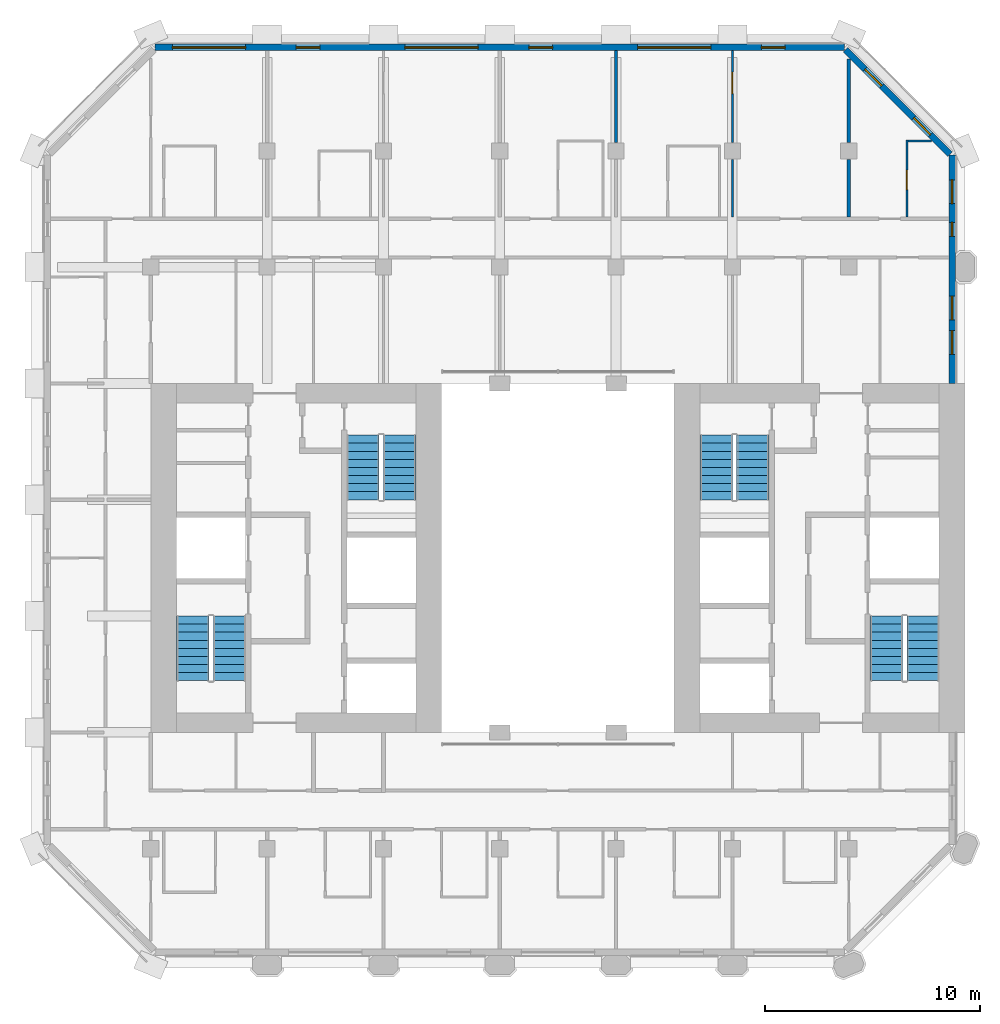
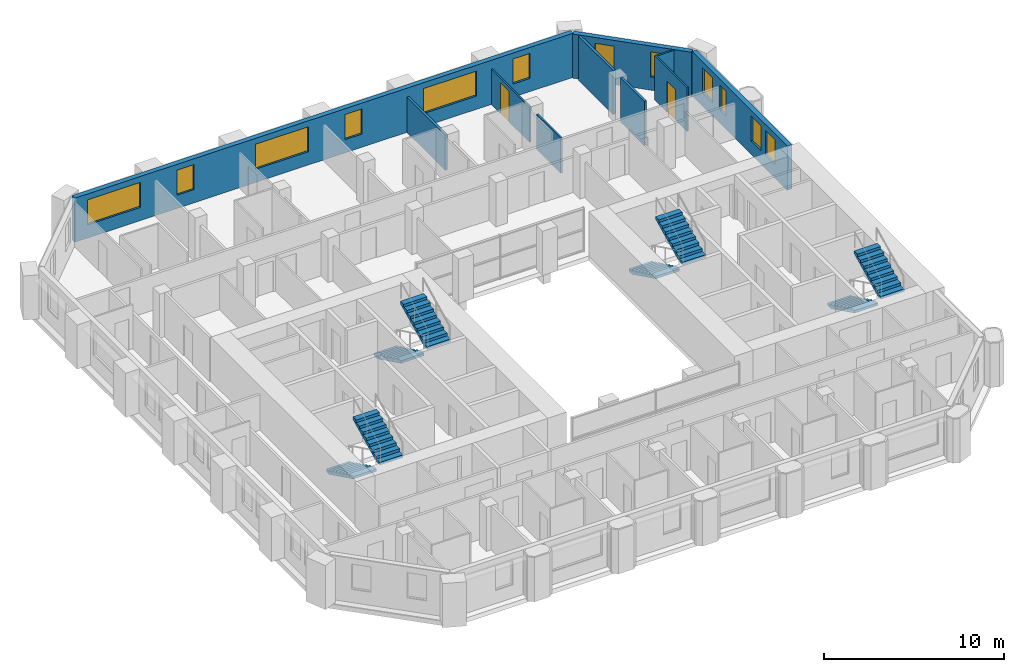
# One storey, part 11 of 13: 12 windows, 10 walls, 8 stair flights, 2 doors, 14 openings, 4 elements without a shape of their own.
"""IFC4 building model written with IfcOpenShell, lengths in metres."""

from ifc_helpers import new_model, si_unit, direction, frame, frame_2d, origin, place, context, subcontext, project, spatial, polyline, rectangle, outline, extrude, material, layer, layer_set, type_object, element, fill, aggregate, save


model = new_model("IFC4")

# Units and contexts
model_context = context("Model", 3, precision=1e-05, world=origin(), true_north=direction((0.0, 1.0)))
body_context = subcontext(model_context, "Body", "Model", "MODEL_VIEW")
ifc_project = project(units=[si_unit("LENGTHUNIT", "METRE"), si_unit("AREAUNIT", "SQUARE_METRE"), si_unit("VOLUMEUNIT", "CUBIC_METRE"), si_unit("PLANEANGLEUNIT", "RADIAN"), si_unit("MASSUNIT", "GRAM", prefix="KILO")], contexts=[model_context])

# Site, building, storey
site_placement = place(None, origin())
site = spatial("IfcSite", under=ifc_project, at=site_placement, CompositionType="ELEMENT")
building_placement = place(site_placement, origin())
building = spatial("IfcBuilding", under=site, at=building_placement, Name="Tabaq Tower and Sports Hall", CompositionType="ELEMENT")
storey_placement = place(building_placement, frame((0.0, 0.0, 210.39990234375)))
storey = spatial("IfcBuildingStorey", under=building, at=storey_placement, Name="L52", CompositionType="ELEMENT", Elevation=210.39990234375)

# Wall, opening, door
ifc_material_1 = material(Name="Gypsum board on steel studs", Category="steel")
ifc_layer_1 = layer(ifc_material_1, 0.10009765625)
ifc_layer_set_1 = layer_set([ifc_layer_1], Name="Partition 100 Gypsum board")
wall_type_1 = type_object("IfcWallType", Name="Partition 100 Gypsum board", PredefinedType="PARTITIONING", material=ifc_layer_set_1)
wall_1_placement = place(storey_placement, frame((40.5, 40.125, 0.0), z_axis=(0.0, 0.0, 1.0), x_axis=(0.0, 1.0, 0.0)))
wall_1 = element("IfcWall", 1, at=wall_1_placement, inside=storey, type_object=wall_type_1, Name="Partition wall L52", PredefinedType="PARTITIONING", context=body_context, shape_type="SweptSolid", body=[
    extrude(rectangle(XDim=3.574951171875, YDim=0.10009765625, at=frame_2d((1.78759765625, 0.0))), origin(), (0.0, 0.0, 1.0), 3.0),
])
opening_1_placement = place(wall_1_placement, frame((1.27490234375, 0.0, 0.0)))
opening_1 = element("IfcOpeningElement", 2, at=opening_1_placement, cuts=wall_1, Name="Opening L52-002", PredefinedType="OPENING", context=body_context, shape_type="SweptSolid", body=[
    extrude(rectangle(XDim=0.89990234375, YDim=2.10009765625, at=frame_2d((0.449951171875, 1.050048828125))), frame((0.0, 0.050048828125, 0.0), z_axis=(0.0, -1.0, 0.0), x_axis=(1.0, 0.0, 0.0)), (0.0, 0.0, 1.0), 0.10009765625),
])
ifc_material_2 = material(Name="Timber leaf in steel frame", Category="steel")
door_type_1 = type_object("IfcDoorType", Name="Internal door 900 left hand", OperationType="SINGLE_SWING_LEFT", PredefinedType="DOOR", material=ifc_material_2)
door_1_placement = place(opening_1_placement, origin())
door_1 = element("IfcDoor", 3, at=door_1_placement, inside=storey, type_object=door_type_1, Name="Internal door L52-002", OperationType="SINGLE_SWING_LEFT", OverallHeight=2.10009765625, OverallWidth=0.89990234375, PredefinedType="DOOR", context=body_context, shape_type="SweptSolid", body=[
    extrude(rectangle(XDim=0.89990234375, YDim=2.10009765625, at=frame_2d((0.449951171875, 1.050048828125))), frame((0.0, 0.02490234375, 0.0), z_axis=(0.0, -1.0, 0.0), x_axis=(1.0, 0.0, 0.0)), (0.0, 0.0, 1.0), 0.050048828125),
])
fill(opening_1, door_1)

# Walls
wall_2_placement = place(storey_placement, frame((40.550048828125, 43.64990234375, 0.0), z_axis=(0.0, 0.0, 1.0), x_axis=(1.0, 0.0, 0.0)))
element("IfcWall", 4, at=wall_2_placement, inside=storey, type_object=wall_type_1, Name="Partition wall L52", PredefinedType="PARTITIONING", context=body_context, shape_type="SweptSolid", body=[
    extrude(rectangle(XDim=1.087890625, YDim=0.10009765625, at=frame_2d((0.5439453125, 0.0))), origin(), (0.0, 0.0, 1.0), 3.0),
])
wall_3_placement = place(storey_placement, frame((32.39990234375, 40.125, 0.0), z_axis=(0.0, 0.0, 1.0), x_axis=(0.0, 1.0, 0.0)))
element("IfcWall", 5, at=wall_3_placement, inside=storey, type_object=wall_type_1, Name="Partition wall L52", PredefinedType="PARTITIONING", context=body_context, shape_type="SweptSolid", body=[
    extrude(rectangle(XDim=2.679931640625, YDim=0.10009765625, at=frame_2d((1.33984375, 0.0))), origin(), (0.0, 0.0, 1.0), 2.400146484375),
])

# Wall, opening, door
wall_4_placement = place(storey_placement, frame((32.39990234375, 43.594970703125, 0.0), z_axis=(0.0, 0.0, 1.0), x_axis=(0.0, 1.0, 0.0)))
wall_4 = element("IfcWall", 6, at=wall_4_placement, inside=storey, type_object=wall_type_1, Name="Partition wall L52", PredefinedType="PARTITIONING", context=body_context, shape_type="SweptSolid", body=[
    extrude(rectangle(XDim=4.254150390625, YDim=0.10009765625, at=frame_2d((2.126953125, 0.0))), origin(), (0.0, 0.0, 1.0), 2.400146484375),
])
opening_2_placement = place(wall_4_placement, frame((2.257080078125, 0.0, 0.0)))
opening_2 = element("IfcOpeningElement", 7, at=opening_2_placement, cuts=wall_4, Name="Opening L52-029", PredefinedType="OPENING", context=body_context, shape_type="SweptSolid", body=[
    extrude(rectangle(XDim=1.0, YDim=2.10009765625, at=frame_2d((0.5, 1.050048828125))), frame((0.0, 0.050048828125, 0.0), z_axis=(0.0, -1.0, 0.0), x_axis=(1.0, 0.0, 0.0)), (0.0, 0.0, 1.0), 0.10009765625),
])
ifc_material_3 = material(Name="Timber leaf in steel frame", Category="steel")
door_type_2 = type_object("IfcDoorType", Name="Internal door 1000 left hand", OperationType="SINGLE_SWING_LEFT", PredefinedType="DOOR", material=ifc_material_3)
door_2_placement = place(opening_2_placement, origin())
door_2 = element("IfcDoor", 8, at=door_2_placement, inside=storey, type_object=door_type_2, Name="Internal door L52-029", OperationType="SINGLE_SWING_LEFT", OverallHeight=2.10009765625, OverallWidth=1.0, PredefinedType="DOOR", context=body_context, shape_type="SweptSolid", body=[
    extrude(rectangle(XDim=1.0, YDim=2.10009765625, at=frame_2d((0.5, 1.050048828125))), frame((0.0, 0.02490234375, 0.0), z_axis=(0.0, -1.0, 0.0), x_axis=(1.0, 0.0, 0.0)), (0.0, 0.0, 1.0), 0.050048828125),
])
fill(opening_2, door_2)

# Walls
ifc_material_4 = material(Name="Blockwork", Category="masonry")
ifc_layer_2 = layer(ifc_material_4, 0.14990234375)
ifc_layer_set_2 = layer_set([ifc_layer_2], Name="Separating wall 150 Blockwork")
wall_type_2 = type_object("IfcWallType", Name="Separating wall 150 Blockwork", PredefinedType="PARTITIONING", material=ifc_layer_set_2)
wall_5_placement = place(storey_placement, frame((37.800048828125, 47.462890625, 0.0), z_axis=(0.0, 0.0, 1.0), x_axis=(0.0, -1.0, 0.0)))
element("IfcWall", 9, at=wall_5_placement, inside=storey, type_object=wall_type_2, Name="Separating wall L52", PredefinedType="PARTITIONING", context=body_context, shape_type="SweptSolid", body=[
    extrude(rectangle(XDim=3.867919921875, YDim=0.14990234375, at=frame_2d((1.93408203125, 0.0))), origin(), (0.0, 0.0, 1.0), 3.0),
])
wall_6_placement = place(storey_placement, frame((37.800048828125, 42.804931640625, 0.0), z_axis=(0.0, 0.0, 1.0), x_axis=(0.0, -1.0, 0.0)))
element("IfcWall", 10, at=wall_6_placement, inside=storey, type_object=wall_type_2, Name="Separating wall L52", PredefinedType="PARTITIONING", context=body_context, shape_type="SweptSolid", body=[
    extrude(rectangle(XDim=2.679931640625, YDim=0.14990234375, at=frame_2d((1.33984375, 0.0))), origin(), (0.0, 0.0, 1.0), 3.0),
])
wall_7_placement = place(storey_placement, frame((27.0, 47.84912109375, 0.0), z_axis=(0.0, 0.0, 1.0), x_axis=(0.0, -1.0, 0.0)))
element("IfcWall", 11, at=wall_7_placement, inside=storey, type_object=wall_type_2, Name="Separating wall L52", PredefinedType="PARTITIONING", context=body_context, shape_type="SweptSolid", body=[
    extrude(rectangle(XDim=4.254150390625, YDim=0.14990234375, at=frame_2d((2.126953125, 0.0))), origin(), (0.0, 0.0, 1.0), 2.400146484375),
])

# Wall, openings, windows
ifc_material_5 = material(Name="White precast concrete C60/75", Category="concrete")
ifc_layer_3 = layer(ifc_material_5, 0.300048828125)
ifc_layer_set_3 = layer_set([ifc_layer_3], Name="White precast concrete C60/75 external wall 300")
wall_type_3 = type_object("IfcWallType", Name="White precast concrete C60/75 external wall 300", PredefinedType="SOLIDWALL", material=ifc_layer_set_3)
wall_8_placement = place(storey_placement, frame((42.60009765625, 32.39990234375, 0.0), z_axis=(0.0, 0.0, 1.0), x_axis=(0.0, 1.0, 0.0)))
wall_8 = element("IfcWall", 12, at=wall_8_placement, inside=storey, type_object=wall_type_3, Name="External Wall L52 E", PredefinedType="SOLIDWALL", context=body_context, shape_type="SweptSolid", body=[
    extrude(rectangle(XDim=10.61376953125, YDim=0.300048828125, at=frame_2d((5.306884765625, 0.0))), origin(), (0.0, 0.0, 1.0), 3.0),
])
opening_3_placement = place(wall_8_placement, frame((1.35009765625, 0.0, 0.89990234375)))
opening_3 = element("IfcOpeningElement", 13, at=opening_3_placement, cuts=wall_8, Name="Opening W1B", PredefinedType="OPENING", context=body_context, shape_type="SweptSolid", body=[
    extrude(rectangle(XDim=1.10009765625, YDim=1.699951171875, at=frame_2d((0.550048828125, 0.85009765625))), frame((0.0, 0.16015625, 0.0), z_axis=(0.0, -1.0, 0.0), x_axis=(1.0, 0.0, 0.0)), (0.0, 0.0, 1.0), 0.320068359375),
])
opening_4_placement = place(wall_8_placement, frame((2.949951171875, 0.0, 0.89990234375)))
opening_4 = element("IfcOpeningElement", 14, at=opening_4_placement, cuts=wall_8, Name="Opening W1B", PredefinedType="OPENING", context=body_context, shape_type="SweptSolid", body=[
    extrude(rectangle(XDim=1.10009765625, YDim=1.699951171875, at=frame_2d((0.550048828125, 0.85009765625))), frame((0.0, 0.16015625, 0.0), z_axis=(0.0, -1.0, 0.0), x_axis=(1.0, 0.0, 0.0)), (0.0, 0.0, 1.0), 0.320068359375),
])
opening_5_placement = place(wall_8_placement, frame((6.824951171875, 0.0, 0.89990234375)))
opening_5 = element("IfcOpeningElement", 15, at=opening_5_placement, cuts=wall_8, Name="Opening W1C", PredefinedType="OPENING", context=body_context, shape_type="SweptSolid", body=[
    extrude(rectangle(XDim=0.64990234375, YDim=1.699951171875, at=frame_2d((0.324951171875, 0.85009765625))), frame((0.0, 0.16015625, 0.0), z_axis=(0.0, -1.0, 0.0), x_axis=(1.0, 0.0, 0.0)), (0.0, 0.0, 1.0), 0.320068359375),
])
opening_6_placement = place(wall_8_placement, frame((8.35009765625, 0.0, 0.89990234375)))
opening_6 = element("IfcOpeningElement", 16, at=opening_6_placement, cuts=wall_8, Name="Opening W1B", PredefinedType="OPENING", context=body_context, shape_type="SweptSolid", body=[
    extrude(rectangle(XDim=1.10009765625, YDim=1.699951171875, at=frame_2d((0.550048828125, 0.85009765625))), frame((0.0, 0.16015625, 0.0), z_axis=(0.0, -1.0, 0.0), x_axis=(1.0, 0.0, 0.0)), (0.0, 0.0, 1.0), 0.320068359375),
])
ifc_material_6 = material(Name="Aluminium framed clear glazing", Category="aluminium")
window_type_1 = type_object("IfcWindowType", Name="Window W1B", PartitioningType="SINGLE_PANEL", PredefinedType="WINDOW", material=ifc_material_6)
window_1_placement = place(opening_3_placement, origin())
window_1 = element("IfcWindow", 17, at=window_1_placement, inside=storey, type_object=window_type_1, Name="Window W1B L52", OverallHeight=1.699951171875, OverallWidth=1.10009765625, PartitioningType="SINGLE_PANEL", PredefinedType="WINDOW", context=body_context, shape_type="SweptSolid", body=[
    extrude(rectangle(XDim=1.10009765625, YDim=1.699951171875, at=frame_2d((0.550048828125, 0.85009765625))), frame((0.0, 0.030029296875, 0.0), z_axis=(0.0, -1.0, 0.0), x_axis=(1.0, 0.0, 0.0)), (0.0, 0.0, 1.0), 0.06005859375),
])
fill(opening_3, window_1)
window_2_placement = place(opening_4_placement, origin())
window_2 = element("IfcWindow", 18, at=window_2_placement, inside=storey, type_object=window_type_1, Name="Window W1B L52", OverallHeight=1.699951171875, OverallWidth=1.10009765625, PartitioningType="SINGLE_PANEL", PredefinedType="WINDOW", context=body_context, shape_type="SweptSolid", body=[
    extrude(rectangle(XDim=1.10009765625, YDim=1.699951171875, at=frame_2d((0.550048828125, 0.85009765625))), frame((0.0, 0.030029296875, 0.0), z_axis=(0.0, -1.0, 0.0), x_axis=(1.0, 0.0, 0.0)), (0.0, 0.0, 1.0), 0.06005859375),
])
fill(opening_4, window_2)
window_3_placement = place(opening_6_placement, origin())
window_3 = element("IfcWindow", 19, at=window_3_placement, inside=storey, type_object=window_type_1, Name="Window W1B L52", OverallHeight=1.699951171875, OverallWidth=1.10009765625, PartitioningType="SINGLE_PANEL", PredefinedType="WINDOW", context=body_context, shape_type="SweptSolid", body=[
    extrude(rectangle(XDim=1.10009765625, YDim=1.699951171875, at=frame_2d((0.550048828125, 0.85009765625))), frame((0.0, 0.030029296875, 0.0), z_axis=(0.0, -1.0, 0.0), x_axis=(1.0, 0.0, 0.0)), (0.0, 0.0, 1.0), 0.06005859375),
])
fill(opening_6, window_3)
ifc_material_7 = material(Name="Aluminium framed clear glazing", Category="aluminium")
window_type_2 = type_object("IfcWindowType", Name="Window W1C", PartitioningType="SINGLE_PANEL", PredefinedType="WINDOW", material=ifc_material_7)
window_4_placement = place(opening_5_placement, origin())
window_4 = element("IfcWindow", 20, at=window_4_placement, inside=storey, type_object=window_type_2, Name="Window W1C L52", OverallHeight=1.699951171875, OverallWidth=0.64990234375, PartitioningType="SINGLE_PANEL", PredefinedType="WINDOW", context=body_context, shape_type="SweptSolid", body=[
    extrude(rectangle(XDim=0.64990234375, YDim=1.699951171875, at=frame_2d((0.324951171875, 0.85009765625))), frame((0.0, 0.030029296875, 0.0), z_axis=(0.0, -1.0, 0.0), x_axis=(1.0, 0.0, 0.0)), (0.0, 0.0, 1.0), 0.06005859375),
])
fill(opening_5, window_4)

wall_9_placement = place(storey_placement, frame((42.5009765625, 43.050537109375, 0.0), z_axis=(0.0, 0.0, 1.0), x_axis=(-0.707106781187, 0.707106781187, 0.0)))
wall_9 = element("IfcWall", 21, at=wall_9_placement, inside=storey, type_object=wall_type_3, Name="External Wall L52 NE", PredefinedType="SOLIDWALL", context=body_context, shape_type="SweptSolid", body=[
    extrude(rectangle(XDim=6.85986328125, YDim=0.300048828125, at=frame_2d((3.429931640625, 0.0))), origin(), (0.0, 0.0, 1.0), 3.0),
])
opening_7_placement = place(wall_9_placement, frame((1.27978515625, 0.0, 0.89990234375)))
opening_7 = element("IfcOpeningElement", 22, at=opening_7_placement, cuts=wall_9, Name="Opening W1B", PredefinedType="OPENING", context=body_context, shape_type="SweptSolid", body=[
    extrude(rectangle(XDim=1.10009765625, YDim=1.699951171875, at=frame_2d((0.550048828125, 0.85009765625))), frame((0.0, 0.16015625, 0.0), z_axis=(0.0, -1.0, 0.0), x_axis=(1.0, 0.0, 0.0)), (0.0, 0.0, 1.0), 0.320068359375),
])
opening_8_placement = place(wall_9_placement, frame((4.479736328125, 0.0, 0.89990234375)))
opening_8 = element("IfcOpeningElement", 23, at=opening_8_placement, cuts=wall_9, Name="Opening W1B", PredefinedType="OPENING", context=body_context, shape_type="SweptSolid", body=[
    extrude(rectangle(XDim=1.10009765625, YDim=1.699951171875, at=frame_2d((0.550048828125, 0.85009765625))), frame((0.0, 0.16015625, 0.0), z_axis=(0.0, -1.0, 0.0), x_axis=(1.0, 0.0, 0.0)), (0.0, 0.0, 1.0), 0.320068359375),
])
window_5_placement = place(opening_7_placement, origin())
window_5 = element("IfcWindow", 24, at=window_5_placement, inside=storey, type_object=window_type_1, Name="Window W1B L52", OverallHeight=1.699951171875, OverallWidth=1.10009765625, PartitioningType="SINGLE_PANEL", PredefinedType="WINDOW", context=body_context, shape_type="SweptSolid", body=[
    extrude(rectangle(XDim=1.10009765625, YDim=1.699951171875, at=frame_2d((0.550048828125, 0.85009765625))), frame((0.0, 0.030029296875, 0.0), z_axis=(0.0, -1.0, 0.0), x_axis=(1.0, 0.0, 0.0)), (0.0, 0.0, 1.0), 0.06005859375),
])
fill(opening_7, window_5)
window_6_placement = place(opening_8_placement, origin())
window_6 = element("IfcWindow", 25, at=window_6_placement, inside=storey, type_object=window_type_1, Name="Window W1B L52", OverallHeight=1.699951171875, OverallWidth=1.10009765625, PartitioningType="SINGLE_PANEL", PredefinedType="WINDOW", context=body_context, shape_type="SweptSolid", body=[
    extrude(rectangle(XDim=1.10009765625, YDim=1.699951171875, at=frame_2d((0.550048828125, 0.85009765625))), frame((0.0, 0.030029296875, 0.0), z_axis=(0.0, -1.0, 0.0), x_axis=(1.0, 0.0, 0.0)), (0.0, 0.0, 1.0), 0.06005859375),
])
fill(opening_8, window_6)

wall_10_placement = place(storey_placement, frame((37.613525390625, 48.0, 0.0), z_axis=(0.0, 0.0, 1.0), x_axis=(-1.0, 0.0, 0.0)))
wall_10 = element("IfcWall", 26, at=wall_10_placement, inside=storey, type_object=wall_type_3, Name="External Wall L52 N", PredefinedType="SOLIDWALL", context=body_context, shape_type="SweptSolid", body=[
    extrude(rectangle(XDim=32.027099609375, YDim=0.300048828125, at=frame_2d((16.013671875, 0.0))), origin(), (0.0, 0.0, 1.0), 3.0),
])
opening_9_placement = place(wall_10_placement, frame((2.763671875, 0.0, 0.89990234375)))
opening_9 = element("IfcOpeningElement", 27, at=opening_9_placement, cuts=wall_10, Name="Opening W1B", PredefinedType="OPENING", context=body_context, shape_type="SweptSolid", body=[
    extrude(rectangle(XDim=1.10009765625, YDim=1.699951171875, at=frame_2d((0.550048828125, 0.85009765625))), frame((0.0, 0.16015625, 0.0), z_axis=(0.0, -1.0, 0.0), x_axis=(1.0, 0.0, 0.0)), (0.0, 0.0, 1.0), 0.320068359375),
])
opening_10_placement = place(wall_10_placement, frame((6.213623046875, 0.0, 0.89990234375)))
opening_10 = element("IfcOpeningElement", 28, at=opening_10_placement, cuts=wall_10, Name="Opening W1A", PredefinedType="OPENING", context=body_context, shape_type="SweptSolid", body=[
    extrude(rectangle(XDim=3.39990234375, YDim=1.699951171875, at=frame_2d((1.699951171875, 0.85009765625))), frame((0.0, 0.16015625, 0.0), z_axis=(0.0, -1.0, 0.0), x_axis=(1.0, 0.0, 0.0)), (0.0, 0.0, 1.0), 0.320068359375),
])
opening_11_placement = place(wall_10_placement, frame((13.563720703125, 0.0, 0.89990234375)))
opening_11 = element("IfcOpeningElement", 29, at=opening_11_placement, cuts=wall_10, Name="Opening W1B", PredefinedType="OPENING", context=body_context, shape_type="SweptSolid", body=[
    extrude(rectangle(XDim=1.10009765625, YDim=1.699951171875, at=frame_2d((0.550048828125, 0.85009765625))), frame((0.0, 0.16015625, 0.0), z_axis=(0.0, -1.0, 0.0), x_axis=(1.0, 0.0, 0.0)), (0.0, 0.0, 1.0), 0.320068359375),
])
opening_12_placement = place(wall_10_placement, frame((17.013671875, 0.0, 0.89990234375)))
opening_12 = element("IfcOpeningElement", 30, at=opening_12_placement, cuts=wall_10, Name="Opening W1A", PredefinedType="OPENING", context=body_context, shape_type="SweptSolid", body=[
    extrude(rectangle(XDim=3.39990234375, YDim=1.699951171875, at=frame_2d((1.699951171875, 0.85009765625))), frame((0.0, 0.16015625, 0.0), z_axis=(0.0, -1.0, 0.0), x_axis=(1.0, 0.0, 0.0)), (0.0, 0.0, 1.0), 0.320068359375),
])
opening_13_placement = place(wall_10_placement, frame((24.363525390625, 0.0, 0.89990234375)))
opening_13 = element("IfcOpeningElement", 31, at=opening_13_placement, cuts=wall_10, Name="Opening W1B", PredefinedType="OPENING", context=body_context, shape_type="SweptSolid", body=[
    extrude(rectangle(XDim=1.10009765625, YDim=1.699951171875, at=frame_2d((0.550048828125, 0.85009765625))), frame((0.0, 0.16015625, 0.0), z_axis=(0.0, -1.0, 0.0), x_axis=(1.0, 0.0, 0.0)), (0.0, 0.0, 1.0), 0.320068359375),
])
opening_14_placement = place(wall_10_placement, frame((27.813720703125, 0.0, 0.89990234375)))
opening_14 = element("IfcOpeningElement", 32, at=opening_14_placement, cuts=wall_10, Name="Opening W1A", PredefinedType="OPENING", context=body_context, shape_type="SweptSolid", body=[
    extrude(rectangle(XDim=3.39990234375, YDim=1.699951171875, at=frame_2d((1.699951171875, 0.85009765625))), frame((0.0, 0.16015625, 0.0), z_axis=(0.0, -1.0, 0.0), x_axis=(1.0, 0.0, 0.0)), (0.0, 0.0, 1.0), 0.320068359375),
])
ifc_material_8 = material(Name="Aluminium framed clear glazing", Category="aluminium")
window_type_3 = type_object("IfcWindowType", Name="Window W1A", PartitioningType="SINGLE_PANEL", PredefinedType="WINDOW", material=ifc_material_8)
window_7_placement = place(opening_10_placement, origin())
window_7 = element("IfcWindow", 33, at=window_7_placement, inside=storey, type_object=window_type_3, Name="Window W1A L52", OverallHeight=1.699951171875, OverallWidth=3.39990234375, PartitioningType="SINGLE_PANEL", PredefinedType="WINDOW", context=body_context, shape_type="SweptSolid", body=[
    extrude(rectangle(XDim=3.39990234375, YDim=1.699951171875, at=frame_2d((1.699951171875, 0.85009765625))), frame((0.0, 0.030029296875, 0.0), z_axis=(0.0, -1.0, 0.0), x_axis=(1.0, 0.0, 0.0)), (0.0, 0.0, 1.0), 0.06005859375),
])
fill(opening_10, window_7)
window_8_placement = place(opening_12_placement, origin())
window_8 = element("IfcWindow", 34, at=window_8_placement, inside=storey, type_object=window_type_3, Name="Window W1A L52", OverallHeight=1.699951171875, OverallWidth=3.39990234375, PartitioningType="SINGLE_PANEL", PredefinedType="WINDOW", context=body_context, shape_type="SweptSolid", body=[
    extrude(rectangle(XDim=3.39990234375, YDim=1.699951171875, at=frame_2d((1.699951171875, 0.85009765625))), frame((0.0, 0.030029296875, 0.0), z_axis=(0.0, -1.0, 0.0), x_axis=(1.0, 0.0, 0.0)), (0.0, 0.0, 1.0), 0.06005859375),
])
fill(opening_12, window_8)
window_9_placement = place(opening_14_placement, origin())
window_9 = element("IfcWindow", 35, at=window_9_placement, inside=storey, type_object=window_type_3, Name="Window W1A L52", OverallHeight=1.699951171875, OverallWidth=3.39990234375, PartitioningType="SINGLE_PANEL", PredefinedType="WINDOW", context=body_context, shape_type="SweptSolid", body=[
    extrude(rectangle(XDim=3.39990234375, YDim=1.699951171875, at=frame_2d((1.699951171875, 0.85009765625))), frame((0.0, 0.030029296875, 0.0), z_axis=(0.0, -1.0, 0.0), x_axis=(1.0, 0.0, 0.0)), (0.0, 0.0, 1.0), 0.06005859375),
])
fill(opening_14, window_9)
window_10_placement = place(opening_9_placement, origin())
window_10 = element("IfcWindow", 36, at=window_10_placement, inside=storey, type_object=window_type_1, Name="Window W1B L52", OverallHeight=1.699951171875, OverallWidth=1.10009765625, PartitioningType="SINGLE_PANEL", PredefinedType="WINDOW", context=body_context, shape_type="SweptSolid", body=[
    extrude(rectangle(XDim=1.10009765625, YDim=1.699951171875, at=frame_2d((0.550048828125, 0.85009765625))), frame((0.0, 0.030029296875, 0.0), z_axis=(0.0, -1.0, 0.0), x_axis=(1.0, 0.0, 0.0)), (0.0, 0.0, 1.0), 0.06005859375),
])
fill(opening_9, window_10)
window_11_placement = place(opening_11_placement, origin())
window_11 = element("IfcWindow", 37, at=window_11_placement, inside=storey, type_object=window_type_1, Name="Window W1B L52", OverallHeight=1.699951171875, OverallWidth=1.10009765625, PartitioningType="SINGLE_PANEL", PredefinedType="WINDOW", context=body_context, shape_type="SweptSolid", body=[
    extrude(rectangle(XDim=1.10009765625, YDim=1.699951171875, at=frame_2d((0.550048828125, 0.85009765625))), frame((0.0, 0.030029296875, 0.0), z_axis=(0.0, -1.0, 0.0), x_axis=(1.0, 0.0, 0.0)), (0.0, 0.0, 1.0), 0.06005859375),
])
fill(opening_11, window_11)
window_12_placement = place(opening_13_placement, origin())
window_12 = element("IfcWindow", 38, at=window_12_placement, inside=storey, type_object=window_type_1, Name="Window W1B L52", OverallHeight=1.699951171875, OverallWidth=1.10009765625, PartitioningType="SINGLE_PANEL", PredefinedType="WINDOW", context=body_context, shape_type="SweptSolid", body=[
    extrude(rectangle(XDim=1.10009765625, YDim=1.699951171875, at=frame_2d((0.550048828125, 0.85009765625))), frame((0.0, 0.030029296875, 0.0), z_axis=(0.0, -1.0, 0.0), x_axis=(1.0, 0.0, 0.0)), (0.0, 0.0, 1.0), 0.06005859375),
])
fill(opening_13, window_12)

# Stair, stair flights
ifc_material_9 = material(Name="Concrete C40/50", Category="concrete")
stair_type = type_object("IfcStairType", Name="Exit stair", PredefinedType="HALF_TURN_STAIR", material=ifc_material_9)
stair_1_placement = place(storey_placement, origin())
stair_1 = element("IfcStair", 39, at=stair_1_placement, inside=storey, type_object=stair_type, Name="L52 Exit stair ST1", PredefinedType="HALF_TURN_STAIR")
ifc_material_10 = material(Name="Concrete C40/50", Category="concrete")
stair_flight_type = type_object("IfcStairFlightType", Name="Exit stair flight", PredefinedType="STRAIGHT", material=ifc_material_10)
stair_flight_1_placement = place(storey_placement, frame((7.35009765625, 21.60009765625, 0.0), z_axis=(0.0, 0.0, 1.0), x_axis=(0.0, -1.0, 0.0)))
stair_flight_1 = element("IfcStairFlight", 40, at=stair_flight_1_placement, type_object=stair_flight_type, Name="ST1 flight 1", NumberOfRisers=9, NumberOfTreads=8, PredefinedType="STRAIGHT", RiserHeight=0.183333333, TreadLength=0.375, context=body_context, shape_type="SweptSolid", body=[
    extrude(outline(polyline([(0.0, 0.0), (0.0, 0.183349609375), (0.375, 0.183349609375), (0.375, 0.36669921875), (0.75, 0.36669921875), (0.75, 0.550048828125), (1.125, 0.550048828125), (1.125, 0.7333984375), (1.5, 0.7333984375), (1.5, 0.916748046875), (1.875, 0.916748046875), (1.875, 1.10009765625), (2.25, 1.10009765625), (2.25, 1.283447265625), (2.625, 1.283447265625), (2.625, 1.466552734375), (3.0, 1.466552734375), (3.0, 1.64990234375), (3.0, 1.2998046875), (0.34130859375, 0.0), (0.0, 0.0)])), frame((0.0, 0.75, 0.0), z_axis=(0.0, -1.0, 0.0), x_axis=(1.0, 0.0, 0.0)), (0.0, 0.0, 1.0), 1.5),
])
stair_flight_2_placement = place(storey_placement, frame((9.050048828125, 18.60009765625, 1.650146484375), z_axis=(0.0, 0.0, 1.0), x_axis=(0.0, 1.0, 0.0)))
stair_flight_2 = element("IfcStairFlight", 41, at=stair_flight_2_placement, type_object=stair_flight_type, Name="ST1 flight 2", NumberOfRisers=9, NumberOfTreads=8, PredefinedType="STRAIGHT", RiserHeight=0.183333333, TreadLength=0.375, context=body_context, shape_type="SweptSolid", body=[
    extrude(outline(polyline([(0.0, 0.0), (0.0, 0.183349609375), (0.375, 0.183349609375), (0.375, 0.36669921875), (0.75, 0.36669921875), (0.75, 0.550048828125), (1.125, 0.550048828125), (1.125, 0.7333984375), (1.5, 0.7333984375), (1.5, 0.916748046875), (1.875, 0.916748046875), (1.875, 1.10009765625), (2.25, 1.10009765625), (2.25, 1.283447265625), (2.625, 1.283447265625), (2.625, 1.466552734375), (3.0, 1.466552734375), (3.0, 1.64990234375), (3.0, 1.2998046875), (0.34130859375, 0.0), (0.0, 0.0)])), frame((0.0, 0.75, 0.0), z_axis=(0.0, -1.0, 0.0), x_axis=(1.0, 0.0, 0.0)), (0.0, 0.0, 1.0), 1.5),
])
aggregate(stair_1, [stair_flight_1, stair_flight_2])

stair_2_placement = place(storey_placement, origin())
stair_2 = element("IfcStair", 42, at=stair_2_placement, inside=storey, type_object=stair_type, Name="L52 Exit stair ST2", PredefinedType="HALF_TURN_STAIR")
stair_flight_3_placement = place(storey_placement, frame((15.25, 30.0, 0.0), z_axis=(0.0, 0.0, 1.0), x_axis=(0.0, -1.0, 0.0)))
stair_flight_3 = element("IfcStairFlight", 43, at=stair_flight_3_placement, type_object=stair_flight_type, Name="ST2 flight 1", NumberOfRisers=9, NumberOfTreads=8, PredefinedType="STRAIGHT", RiserHeight=0.183333333, TreadLength=0.375, context=body_context, shape_type="SweptSolid", body=[
    extrude(outline(polyline([(0.0, 0.0), (0.0, 0.183349609375), (0.375, 0.183349609375), (0.375, 0.36669921875), (0.75, 0.36669921875), (0.75, 0.550048828125), (1.125, 0.550048828125), (1.125, 0.7333984375), (1.5, 0.7333984375), (1.5, 0.916748046875), (1.875, 0.916748046875), (1.875, 1.10009765625), (2.25, 1.10009765625), (2.25, 1.283447265625), (2.625, 1.283447265625), (2.625, 1.466552734375), (3.0, 1.466552734375), (3.0, 1.64990234375), (3.0, 1.2998046875), (0.34130859375, 0.0), (0.0, 0.0)])), frame((0.0, 0.75, 0.0), z_axis=(0.0, -1.0, 0.0), x_axis=(1.0, 0.0, 0.0)), (0.0, 0.0, 1.0), 1.5),
])
stair_flight_4_placement = place(storey_placement, frame((16.949951171875, 27.0, 1.650146484375), z_axis=(0.0, 0.0, 1.0), x_axis=(0.0, 1.0, 0.0)))
stair_flight_4 = element("IfcStairFlight", 44, at=stair_flight_4_placement, type_object=stair_flight_type, Name="ST2 flight 2", NumberOfRisers=9, NumberOfTreads=8, PredefinedType="STRAIGHT", RiserHeight=0.183333333, TreadLength=0.375, context=body_context, shape_type="SweptSolid", body=[
    extrude(outline(polyline([(0.0, 0.0), (0.0, 0.183349609375), (0.375, 0.183349609375), (0.375, 0.36669921875), (0.75, 0.36669921875), (0.75, 0.550048828125), (1.125, 0.550048828125), (1.125, 0.7333984375), (1.5, 0.7333984375), (1.5, 0.916748046875), (1.875, 0.916748046875), (1.875, 1.10009765625), (2.25, 1.10009765625), (2.25, 1.283447265625), (2.625, 1.283447265625), (2.625, 1.466552734375), (3.0, 1.466552734375), (3.0, 1.64990234375), (3.0, 1.2998046875), (0.34130859375, 0.0), (0.0, 0.0)])), frame((0.0, 0.75, 0.0), z_axis=(0.0, -1.0, 0.0), x_axis=(1.0, 0.0, 0.0)), (0.0, 0.0, 1.0), 1.5),
])
aggregate(stair_2, [stair_flight_3, stair_flight_4])

stair_3_placement = place(storey_placement, origin())
stair_3 = element("IfcStair", 45, at=stair_3_placement, inside=storey, type_object=stair_type, Name="L52 Exit stair ST3", PredefinedType="HALF_TURN_STAIR")
stair_flight_5_placement = place(storey_placement, frame((39.550048828125, 21.60009765625, 0.0), z_axis=(0.0, 0.0, 1.0), x_axis=(0.0, -1.0, 0.0)))
stair_flight_5 = element("IfcStairFlight", 46, at=stair_flight_5_placement, type_object=stair_flight_type, Name="ST3 flight 1", NumberOfRisers=9, NumberOfTreads=8, PredefinedType="STRAIGHT", RiserHeight=0.183333333, TreadLength=0.375, context=body_context, shape_type="SweptSolid", body=[
    extrude(outline(polyline([(0.0, 0.0), (0.0, 0.183349609375), (0.375, 0.183349609375), (0.375, 0.36669921875), (0.75, 0.36669921875), (0.75, 0.550048828125), (1.125, 0.550048828125), (1.125, 0.7333984375), (1.5, 0.7333984375), (1.5, 0.916748046875), (1.875, 0.916748046875), (1.875, 1.10009765625), (2.25, 1.10009765625), (2.25, 1.283447265625), (2.625, 1.283447265625), (2.625, 1.466552734375), (3.0, 1.466552734375), (3.0, 1.64990234375), (3.0, 1.2998046875), (0.34130859375, 0.0), (0.0, 0.0)])), frame((0.0, 0.75, 0.0), z_axis=(0.0, -1.0, 0.0), x_axis=(1.0, 0.0, 0.0)), (0.0, 0.0, 1.0), 1.5),
])
stair_flight_6_placement = place(storey_placement, frame((41.25, 18.60009765625, 1.650146484375), z_axis=(0.0, 0.0, 1.0), x_axis=(0.0, 1.0, 0.0)))
stair_flight_6 = element("IfcStairFlight", 47, at=stair_flight_6_placement, type_object=stair_flight_type, Name="ST3 flight 2", NumberOfRisers=9, NumberOfTreads=8, PredefinedType="STRAIGHT", RiserHeight=0.183333333, TreadLength=0.375, context=body_context, shape_type="SweptSolid", body=[
    extrude(outline(polyline([(0.0, 0.0), (0.0, 0.183349609375), (0.375, 0.183349609375), (0.375, 0.36669921875), (0.75, 0.36669921875), (0.75, 0.550048828125), (1.125, 0.550048828125), (1.125, 0.7333984375), (1.5, 0.7333984375), (1.5, 0.916748046875), (1.875, 0.916748046875), (1.875, 1.10009765625), (2.25, 1.10009765625), (2.25, 1.283447265625), (2.625, 1.283447265625), (2.625, 1.466552734375), (3.0, 1.466552734375), (3.0, 1.64990234375), (3.0, 1.2998046875), (0.34130859375, 0.0), (0.0, 0.0)])), frame((0.0, 0.75, 0.0), z_axis=(0.0, -1.0, 0.0), x_axis=(1.0, 0.0, 0.0)), (0.0, 0.0, 1.0), 1.5),
])
aggregate(stair_3, [stair_flight_5, stair_flight_6])

stair_4_placement = place(storey_placement, origin())
stair_4 = element("IfcStair", 48, at=stair_4_placement, inside=storey, type_object=stair_type, Name="L52 Exit stair ST4", PredefinedType="HALF_TURN_STAIR")
stair_flight_7_placement = place(storey_placement, frame((31.64990234375, 30.0, 0.0), z_axis=(0.0, 0.0, 1.0), x_axis=(0.0, -1.0, 0.0)))
stair_flight_7 = element("IfcStairFlight", 49, at=stair_flight_7_placement, type_object=stair_flight_type, Name="ST4 flight 1", NumberOfRisers=9, NumberOfTreads=8, PredefinedType="STRAIGHT", RiserHeight=0.183333333, TreadLength=0.375, context=body_context, shape_type="SweptSolid", body=[
    extrude(outline(polyline([(0.0, 0.0), (0.0, 0.183349609375), (0.375, 0.183349609375), (0.375, 0.36669921875), (0.75, 0.36669921875), (0.75, 0.550048828125), (1.125, 0.550048828125), (1.125, 0.7333984375), (1.5, 0.7333984375), (1.5, 0.916748046875), (1.875, 0.916748046875), (1.875, 1.10009765625), (2.25, 1.10009765625), (2.25, 1.283447265625), (2.625, 1.283447265625), (2.625, 1.466552734375), (3.0, 1.466552734375), (3.0, 1.64990234375), (3.0, 1.2998046875), (0.34130859375, 0.0), (0.0, 0.0)])), frame((0.0, 0.75, 0.0), z_axis=(0.0, -1.0, 0.0), x_axis=(1.0, 0.0, 0.0)), (0.0, 0.0, 1.0), 1.5),
])
stair_flight_8_placement = place(storey_placement, frame((33.35009765625, 27.0, 1.650146484375), z_axis=(0.0, 0.0, 1.0), x_axis=(0.0, 1.0, 0.0)))
stair_flight_8 = element("IfcStairFlight", 50, at=stair_flight_8_placement, type_object=stair_flight_type, Name="ST4 flight 2", NumberOfRisers=9, NumberOfTreads=8, PredefinedType="STRAIGHT", RiserHeight=0.183333333, TreadLength=0.375, context=body_context, shape_type="SweptSolid", body=[
    extrude(outline(polyline([(0.0, 0.0), (0.0, 0.183349609375), (0.375, 0.183349609375), (0.375, 0.36669921875), (0.75, 0.36669921875), (0.75, 0.550048828125), (1.125, 0.550048828125), (1.125, 0.7333984375), (1.5, 0.7333984375), (1.5, 0.916748046875), (1.875, 0.916748046875), (1.875, 1.10009765625), (2.25, 1.10009765625), (2.25, 1.283447265625), (2.625, 1.283447265625), (2.625, 1.466552734375), (3.0, 1.466552734375), (3.0, 1.64990234375), (3.0, 1.2998046875), (0.34130859375, 0.0), (0.0, 0.0)])), frame((0.0, 0.75, 0.0), z_axis=(0.0, -1.0, 0.0), x_axis=(1.0, 0.0, 0.0)), (0.0, 0.0, 1.0), 1.5),
])
aggregate(stair_4, [stair_flight_7, stair_flight_8])

save(model, "model.ifc")
